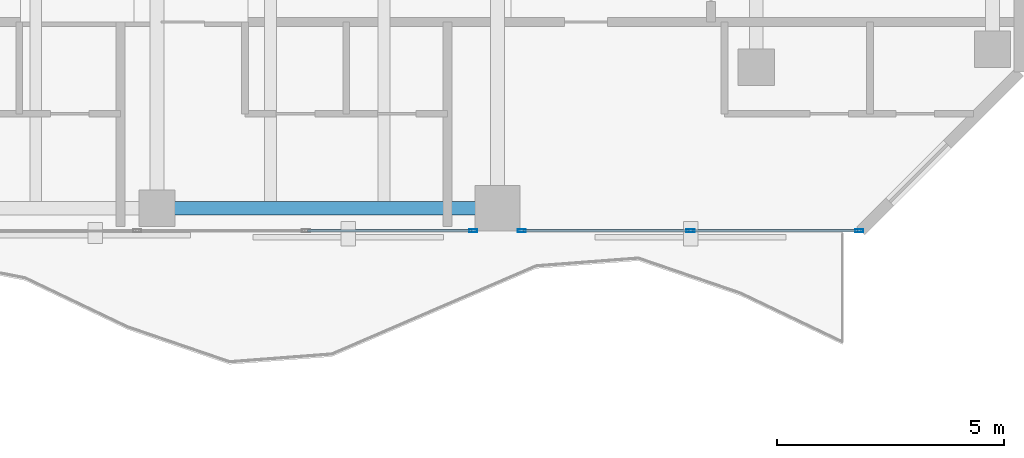
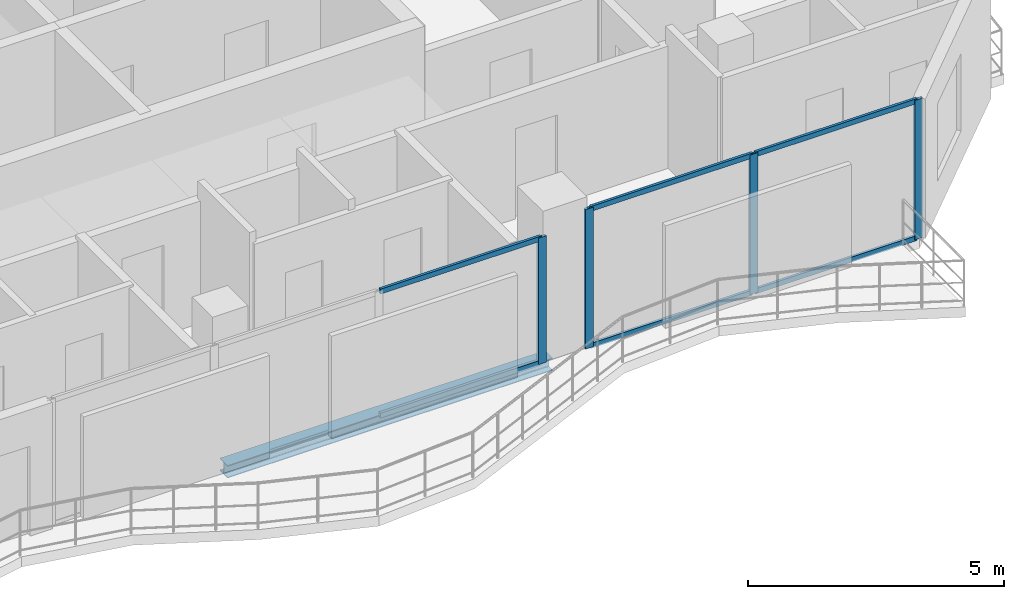
# One storey, part 12 of 23: 10 members, 1 beam, 2 elements without a shape of their own.
"""IFC4 building model written with IfcOpenShell, lengths in metres."""

from ifc_helpers import new_model, si_unit, direction, frame, origin, origin_2d, place, context, subcontext, project, spatial, hollow_rectangle, i_section, extrude, material, layer, layer_set, material_profile, profile_set, type_object, element, aggregate, save


model = new_model("IFC4")

# Units and contexts
model_context = context("Model", 3, precision=1e-05, world=origin(), true_north=direction((0.0, 1.0)))
body_context = subcontext(model_context, "Body", "Model", "MODEL_VIEW")
ifc_project = project(units=[si_unit("LENGTHUNIT", "METRE"), si_unit("AREAUNIT", "SQUARE_METRE"), si_unit("VOLUMEUNIT", "CUBIC_METRE"), si_unit("PLANEANGLEUNIT", "RADIAN"), si_unit("MASSUNIT", "GRAM", prefix="KILO")], contexts=[model_context])

# Site, building, storey
site_placement = place(None, origin())
site = spatial("IfcSite", under=ifc_project, at=site_placement, CompositionType="ELEMENT")
building_placement = place(site_placement, origin())
building = spatial("IfcBuilding", under=site, at=building_placement, Name="Catumbela Crestline Tower", CompositionType="ELEMENT")
storey_placement = place(building_placement, frame((0.0, 0.0, 175.8)))
storey = spatial("IfcBuildingStorey", under=building, at=storey_placement, Name="L45", CompositionType="ELEMENT", Elevation=175.8)

# Curtain wall, member
ifc_material_1 = material(Name="Aluminium alloy AW-6060-T66", Category="aluminium")
ifc_layer = layer(ifc_material_1, 0.18, Name="Aluminium alloy AW-6060-T66")
ifc_layer_set = layer_set([ifc_layer], Name="Aluminium alloy AW-6060-T66")
curtain_wall_type = type_object("IfcCurtainWallType", Name="CWU-Z3", PredefinedType="USERDEFINED", material=ifc_layer_set)
curtain_wall_1_placement = place(storey_placement, origin())
curtain_wall_1 = element("IfcCurtainWall", 1, at=curtain_wall_1_placement, inside=storey, type_object=curtain_wall_type, Name="L45 Unitised Curtain Wall CW-L45-E3S2", ObjectType="UNITISED", PredefinedType="USERDEFINED")
ifc_material_profile_1 = material_profile(ifc_material_1, hollow_rectangle(XDim=0.065, YDim=0.18, WallThickness=0.004, at=origin_2d()), Name="ALU 180x65x4")
ifc_profile_set_1 = profile_set([ifc_material_profile_1], Name="Aluminium alloy AW-6060-T66")
member_type_1 = type_object("IfcMemberType", Name="MUL-180X65", PredefinedType="MULLION", material=ifc_profile_set_1)
member_1_placement = place(storey_placement, frame((38.9675, 24.0, 0.0), z_axis=(0.0, 0.0, 1.0), x_axis=(0.0, 1.0, 0.0)))
member_1 = element("IfcMember", 2, at=member_1_placement, type_object=member_type_1, Name="CWU-Z3 mullion 4", PredefinedType="MULLION", context=body_context, shape_type="SweptSolid", body=[
    extrude(hollow_rectangle(XDim=0.065, YDim=0.18, WallThickness=0.004, at=origin_2d()), origin(), (0.0, 0.0, 1.0), 3.02),
])

# Curtain wall, members
curtain_wall_2_placement = place(storey_placement, origin())
curtain_wall_2 = element("IfcCurtainWall", 3, at=curtain_wall_2_placement, inside=storey, type_object=curtain_wall_type, Name="L45 Unitised Curtain Wall CW-L45-E3S3", ObjectType="UNITISED", PredefinedType="USERDEFINED")
member_2_placement = place(storey_placement, frame((40.0325, 24.0, 0.0), z_axis=(0.0, 0.0, 1.0), x_axis=(0.0, 1.0, 0.0)))
member_2 = element("IfcMember", 4, at=member_2_placement, type_object=member_type_1, Name="CWU-Z3 mullion 1", PredefinedType="MULLION", context=body_context, shape_type="SweptSolid", body=[
    extrude(hollow_rectangle(XDim=0.065, YDim=0.18, WallThickness=0.004, at=origin_2d()), origin(), (0.0, 0.0, 1.0), 3.33),
])
member_3_placement = place(storey_placement, frame((43.75, 24.0, 0.0), z_axis=(0.0, 0.0, 1.0), x_axis=(0.0, 1.0, 0.0)))
member_3 = element("IfcMember", 5, at=member_3_placement, type_object=member_type_1, Name="CWU-Z3 mullion 2", PredefinedType="MULLION", context=body_context, shape_type="SweptSolid", body=[
    extrude(hollow_rectangle(XDim=0.065, YDim=0.18, WallThickness=0.004, at=origin_2d()), origin(), (0.0, 0.0, 1.0), 3.33),
])
member_4_placement = place(storey_placement, frame((47.4675, 24.0, 0.0), z_axis=(0.0, 0.0, 1.0), x_axis=(0.0, 1.0, 0.0)))
member_4 = element("IfcMember", 6, at=member_4_placement, type_object=member_type_1, Name="CWU-Z3 mullion 3", PredefinedType="MULLION", context=body_context, shape_type="SweptSolid", body=[
    extrude(hollow_rectangle(XDim=0.065, YDim=0.18, WallThickness=0.004, at=origin_2d()), origin(), (0.0, 0.0, 1.0), 3.33),
])

# Beam
ifc_material_2 = material(Name="Structural steel S355J2", Category="steel")
ifc_material_profile_2 = material_profile(ifc_material_2, i_section(OverallWidth=0.3, OverallDepth=0.3, WebThickness=0.011, FlangeThickness=0.019, FilletRadius=0.027, at=origin_2d()), Name="HEB 300")
ifc_profile_set_2 = profile_set([ifc_material_profile_2], Name="Structural steel S355J2")
beam_type = type_object("IfcBeamType", Name="BS-HEB300", PredefinedType="SPANDREL", material=ifc_profile_set_2)
beam_placement = place(storey_placement, frame((32.08, 24.5, -0.41), z_axis=(1.0, 0.0, 0.0), x_axis=(0.0, 1.0, 0.0)))
element("IfcBeam", 7, at=beam_placement, inside=storey, type_object=beam_type, Name="L45 Spandrel SP-L45-S05", PredefinedType="SPANDREL", context=body_context, shape_type="SweptSolid", body=[
    extrude(i_section(OverallWidth=0.3, OverallDepth=0.3, WebThickness=0.011, FlangeThickness=0.019, FilletRadius=0.027, at=origin_2d()), origin(), (0.0, 0.0, 1.0), 7.34),
])

# Member
ifc_material_profile_3 = material_profile(ifc_material_1, hollow_rectangle(XDim=0.06, YDim=0.12, WallThickness=0.0035, at=origin_2d()), Name="ALU 120x60x3.5")
ifc_profile_set_3 = profile_set([ifc_material_profile_3], Name="Aluminium alloy AW-6060-T66")
member_type_2 = type_object("IfcMemberType", Name="TRN-120X60", PredefinedType="USERDEFINED", material=ifc_profile_set_3)
member_5_placement = place(storey_placement, frame((35.3158, 24.0, 0.03), z_axis=(1.0, 0.0, 0.0), x_axis=(0.0, 1.0, 0.0)))
member_5 = element("IfcMember", 8, at=member_5_placement, type_object=member_type_2, Name="CWU-Z3 transom 3.1", ObjectType="TRANSOM", PredefinedType="USERDEFINED", context=body_context, shape_type="SweptSolid", body=[
    extrude(hollow_rectangle(XDim=0.06, YDim=0.12, WallThickness=0.0035, at=origin_2d()), origin(), (0.0, 0.0, 1.0), 3.6192),
])

member_6_placement = place(storey_placement, frame((35.3158, 24.0, 2.99), z_axis=(1.0, 0.0, 0.0), x_axis=(0.0, 1.0, 0.0)))
member_6 = element("IfcMember", 9, at=member_6_placement, type_object=member_type_2, Name="CWU-Z3 transom 3.2", ObjectType="TRANSOM", PredefinedType="USERDEFINED", context=body_context, shape_type="SweptSolid", body=[
    extrude(hollow_rectangle(XDim=0.06, YDim=0.12, WallThickness=0.0035, at=origin_2d()), origin(), (0.0, 0.0, 1.0), 3.6192),
])

aggregate(curtain_wall_1, [member_1, member_5, member_6])

member_7_placement = place(storey_placement, frame((40.065, 24.0, 0.03), z_axis=(1.0, 0.0, 0.0), x_axis=(0.0, 1.0, 0.0)))
member_7 = element("IfcMember", 10, at=member_7_placement, type_object=member_type_2, Name="CWU-Z3 transom 1.1", ObjectType="TRANSOM", PredefinedType="USERDEFINED", context=body_context, shape_type="SweptSolid", body=[
    extrude(hollow_rectangle(XDim=0.06, YDim=0.12, WallThickness=0.0035, at=origin_2d()), origin(), (0.0, 0.0, 1.0), 3.6525),
])

member_8_placement = place(storey_placement, frame((40.065, 24.0, 3.3), z_axis=(1.0, 0.0, 0.0), x_axis=(0.0, 1.0, 0.0)))
member_8 = element("IfcMember", 11, at=member_8_placement, type_object=member_type_2, Name="CWU-Z3 transom 1.2", ObjectType="TRANSOM", PredefinedType="USERDEFINED", context=body_context, shape_type="SweptSolid", body=[
    extrude(hollow_rectangle(XDim=0.06, YDim=0.12, WallThickness=0.0035, at=origin_2d()), origin(), (0.0, 0.0, 1.0), 3.6525),
])

member_9_placement = place(storey_placement, frame((43.7825, 24.0, 0.03), z_axis=(1.0, 0.0, 0.0), x_axis=(0.0, 1.0, 0.0)))
member_9 = element("IfcMember", 12, at=member_9_placement, type_object=member_type_2, Name="CWU-Z3 transom 2.1", ObjectType="TRANSOM", PredefinedType="USERDEFINED", context=body_context, shape_type="SweptSolid", body=[
    extrude(hollow_rectangle(XDim=0.06, YDim=0.12, WallThickness=0.0035, at=origin_2d()), origin(), (0.0, 0.0, 1.0), 3.6525),
])

member_10_placement = place(storey_placement, frame((43.7825, 24.0, 3.3), z_axis=(1.0, 0.0, 0.0), x_axis=(0.0, 1.0, 0.0)))
member_10 = element("IfcMember", 13, at=member_10_placement, type_object=member_type_2, Name="CWU-Z3 transom 2.2", ObjectType="TRANSOM", PredefinedType="USERDEFINED", context=body_context, shape_type="SweptSolid", body=[
    extrude(hollow_rectangle(XDim=0.06, YDim=0.12, WallThickness=0.0035, at=origin_2d()), origin(), (0.0, 0.0, 1.0), 3.6525),
])

aggregate(curtain_wall_2, [member_2, member_3, member_4, member_7, member_8, member_9, member_10])

save(model, "model.ifc")
